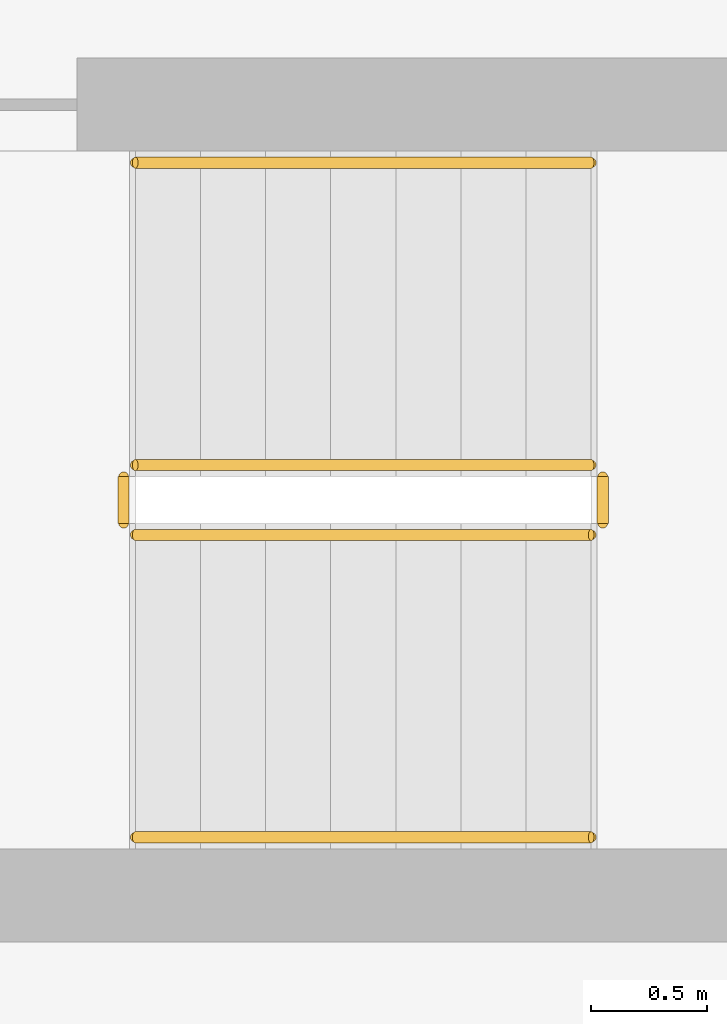
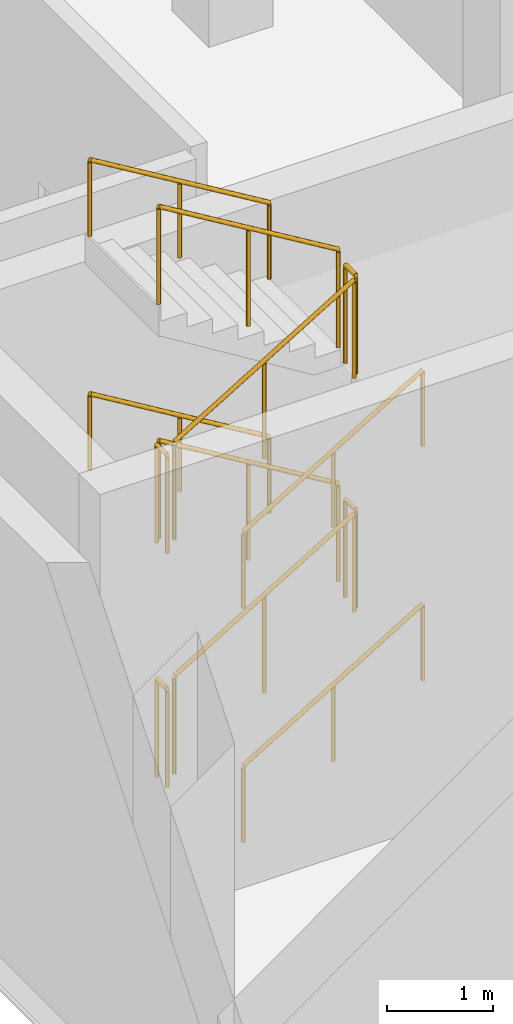
# One storey, part 19 of 22: 12 railings.
"""IFC4 building model written with IfcOpenShell, lengths in metres."""

from ifc_helpers import new_model, si_unit, direction, frame, origin, origin_2d, place, context, subcontext, project, spatial, circle, extrude, material, type_object, element, save


model = new_model("IFC4")

# Units and contexts
model_context = context("Model", 3, precision=1e-05, world=origin(), true_north=direction((0.0, 1.0)))
body_context = subcontext(model_context, "Body", "Model", "MODEL_VIEW")
ifc_project = project(units=[si_unit("LENGTHUNIT", "METRE"), si_unit("AREAUNIT", "SQUARE_METRE"), si_unit("VOLUMEUNIT", "CUBIC_METRE"), si_unit("PLANEANGLEUNIT", "RADIAN"), si_unit("MASSUNIT", "GRAM", prefix="KILO")], contexts=[model_context])

# Site, building, storey
site_placement = place(None, origin())
site = spatial("IfcSite", under=ifc_project, at=site_placement, CompositionType="ELEMENT")
building_placement = place(site_placement, origin())
building = spatial("IfcBuilding", under=site, at=building_placement, Name="Barlavira Tower and Art Museum", CompositionType="ELEMENT")
storey_placement = place(building_placement, frame((0.0, 0.0, 16.800048828125)))
storey = spatial("IfcBuildingStorey", under=building, at=storey_placement, Name="L03", CompositionType="ELEMENT", Elevation=16.800048828125)

# Railings
ifc_material = material(Name="Brushed stainless steel", Category="steel")
railing_type_1 = type_object("IfcRailingType", Name="Interior Void and Landing Guard Railing 1150", PredefinedType="GUARDRAIL", material=ifc_material)
railing_1_placement = place(storey_placement, frame((32.070068359375, -18.25, 0.168701171875)))
element("IfcRailing", 1, at=railing_1_placement, inside=storey, type_object=railing_type_1, Name="L03 ST-M1 stair guard 1", PredefinedType="GUARDRAIL", context=body_context, shape_type="SweptSolid", body=[
    extrude(circle(Radius=0.02392578125, at=origin_2d()), frame((0.0, 0.0, 1.1259765625), z_axis=(0.856493463811, 0.0, 0.516157869696), x_axis=(0.0, 1.0, 0.0)), (0.0, 0.0, 1.0), 2.288330078125),
    extrude(circle(Radius=0.02099609375, at=origin_2d()), origin(), (0.0, 0.0, 1.0), 1.101806640625),
    extrude(circle(Radius=0.02099609375, at=origin_2d()), frame((0.97998046875, 0.0, 0.590576171875)), (0.0, 0.0, 1.0), 1.101806640625),
    extrude(circle(Radius=0.02099609375, at=origin_2d()), frame((1.9599609375, 0.0, 1.18115234375)), (0.0, 0.0, 1.0), 1.101806640625),
])
railing_2_placement = place(storey_placement, frame((34.080078125, -18.199951171875, 1.349853515625)))
element("IfcRailing", 2, at=railing_2_placement, inside=storey, type_object=railing_type_1, Name="L03 ST-M1 stair guard 2", PredefinedType="GUARDRAIL", context=body_context, shape_type="SweptSolid", body=[
    extrude(circle(Radius=0.02392578125, at=origin_2d()), frame((0.0, 0.0, 1.1259765625), z_axis=(0.0, 1.0, 0.0), x_axis=(-1.0, 0.0, 0.0)), (0.0, 0.0, 1.0), 0.199951171875),
    extrude(circle(Radius=0.02099609375, at=origin_2d()), origin(), (0.0, 0.0, 1.0), 1.101806640625),
    extrude(circle(Radius=0.02099609375, at=origin_2d()), frame((0.0, 0.199951171875, 0.0)), (0.0, 0.0, 1.0), 1.101806640625),
])
railing_3_placement = place(storey_placement, frame((34.030029296875, -17.949951171875, 1.518798828125)))
element("IfcRailing", 3, at=railing_3_placement, inside=storey, type_object=railing_type_1, Name="L03 ST-M1 stair guard 3", PredefinedType="GUARDRAIL", context=body_context, shape_type="SweptSolid", body=[
    extrude(circle(Radius=0.02392578125, at=origin_2d()), frame((0.0, 0.0, 1.1259765625), z_axis=(-0.856493463811, 0.0, 0.516157869696), x_axis=(0.0, -1.0, 0.0)), (0.0, 0.0, 1.0), 2.288330078125),
    extrude(circle(Radius=0.02099609375, at=origin_2d()), origin(), (0.0, 0.0, 1.0), 1.101806640625),
    extrude(circle(Radius=0.02099609375, at=origin_2d()), frame((-0.97998046875, 0.0, 0.590576171875)), (0.0, 0.0, 1.0), 1.101806640625),
    extrude(circle(Radius=0.02099609375, at=origin_2d()), frame((-1.9599609375, 0.0, 1.18115234375)), (0.0, 0.0, 1.0), 1.101806640625),
])
railing_4_placement = place(storey_placement, frame((32.02001953125, -18.199951171875, 2.699951171875)))
element("IfcRailing", 4, at=railing_4_placement, inside=storey, type_object=railing_type_1, Name="L03 ST-M1 stair guard 4", PredefinedType="GUARDRAIL", context=body_context, shape_type="SweptSolid", body=[
    extrude(circle(Radius=0.02392578125, at=origin_2d()), frame((0.0, 0.0, 1.1259765625), z_axis=(0.0, 1.0, 0.0), x_axis=(-1.0, 0.0, 0.0)), (0.0, 0.0, 1.0), 0.199951171875),
    extrude(circle(Radius=0.02099609375, at=origin_2d()), origin(), (0.0, 0.0, 1.0), 1.101806640625),
    extrude(circle(Radius=0.02099609375, at=origin_2d()), frame((0.0, 0.199951171875, 0.0)), (0.0, 0.0, 1.0), 1.101806640625),
])
railing_5_placement = place(storey_placement, frame((32.070068359375, -18.25, 2.86865234375)))
element("IfcRailing", 5, at=railing_5_placement, inside=storey, type_object=railing_type_1, Name="L03 ST-M1 stair guard 5", PredefinedType="GUARDRAIL", context=body_context, shape_type="SweptSolid", body=[
    extrude(circle(Radius=0.02392578125, at=origin_2d()), frame((0.0, 0.0, 1.1259765625), z_axis=(0.856446297458, 0.0, 0.516236127728), x_axis=(0.0, 1.0, 0.0)), (0.0, 0.0, 1.0), 2.28857421875),
    extrude(circle(Radius=0.02099609375, at=origin_2d()), origin(), (0.0, 0.0, 1.0), 1.101806640625),
    extrude(circle(Radius=0.02099609375, at=origin_2d()), frame((0.97998046875, 0.0, 0.5908203125)), (0.0, 0.0, 1.0), 1.101806640625),
    extrude(circle(Radius=0.02099609375, at=origin_2d()), frame((1.9599609375, 0.0, 1.181396484375)), (0.0, 0.0, 1.0), 1.101806640625),
])
railing_6_placement = place(storey_placement, frame((34.080078125, -18.199951171875, 4.050048828125)))
element("IfcRailing", 6, at=railing_6_placement, inside=storey, type_object=railing_type_1, Name="L03 ST-M1 stair guard 6", PredefinedType="GUARDRAIL", context=body_context, shape_type="SweptSolid", body=[
    extrude(circle(Radius=0.02392578125, at=origin_2d()), frame((0.0, 0.0, 1.1259765625), z_axis=(0.0, 1.0, 0.0), x_axis=(-1.0, 0.0, 0.0)), (0.0, 0.0, 1.0), 0.199951171875),
    extrude(circle(Radius=0.02099609375, at=origin_2d()), origin(), (0.0, 0.0, 1.0), 1.101806640625),
    extrude(circle(Radius=0.02099609375, at=origin_2d()), frame((0.0, 0.199951171875, 0.0)), (0.0, 0.0, 1.0), 1.101806640625),
])
railing_7_placement = place(storey_placement, frame((34.030029296875, -17.949951171875, 4.21875)))
element("IfcRailing", 7, at=railing_7_placement, inside=storey, type_object=railing_type_1, Name="L03 ST-M1 stair guard 7", PredefinedType="GUARDRAIL", context=body_context, shape_type="SweptSolid", body=[
    extrude(circle(Radius=0.02392578125, at=origin_2d()), frame((0.0, 0.0, 1.1259765625), z_axis=(-0.856493463811, 0.0, 0.516157869696), x_axis=(0.0, -1.0, 0.0)), (0.0, 0.0, 1.0), 2.288330078125),
    extrude(circle(Radius=0.02099609375, at=origin_2d()), origin(), (0.0, 0.0, 1.0), 1.101806640625),
    extrude(circle(Radius=0.02099609375, at=origin_2d()), frame((-0.97998046875, 0.0, 0.590576171875)), (0.0, 0.0, 1.0), 1.101806640625),
    extrude(circle(Radius=0.02099609375, at=origin_2d()), frame((-1.9599609375, 0.0, 1.18115234375)), (0.0, 0.0, 1.0), 1.101806640625),
])
railing_8_placement = place(storey_placement, frame((32.02001953125, -18.199951171875, 0.0)))
element("IfcRailing", 8, at=railing_8_placement, inside=storey, type_object=railing_type_1, Name="L03 ST-M1 stair guard 8", PredefinedType="GUARDRAIL", context=body_context, shape_type="SweptSolid", body=[
    extrude(circle(Radius=0.02392578125, at=origin_2d()), frame((0.0, 0.0, 1.1259765625), z_axis=(0.0, 1.0, 0.0), x_axis=(-1.0, 0.0, 0.0)), (0.0, 0.0, 1.0), 0.199951171875),
    extrude(circle(Radius=0.02099609375, at=origin_2d()), origin(), (0.0, 0.0, 1.0), 1.101806640625),
    extrude(circle(Radius=0.02099609375, at=origin_2d()), frame((0.0, 0.199951171875, 0.0)), (0.0, 0.0, 1.0), 1.101806640625),
])
railing_type_2 = type_object("IfcRailingType", Name="Stair Pitch Tubular Steel Handrail 920", PredefinedType="HANDRAIL", material=ifc_material)
railing_9_placement = place(storey_placement, frame((32.070068359375, -19.550048828125, 0.168701171875)))
element("IfcRailing", 9, at=railing_9_placement, inside=storey, type_object=railing_type_2, Name="L03 ST-M1 stair handrail 1", PredefinedType="HANDRAIL", context=body_context, shape_type="SweptSolid", body=[
    extrude(circle(Radius=0.02392578125, at=origin_2d()), frame((0.0, 0.0, 0.8759765625), z_axis=(0.856493463811, 0.0, 0.516157869696), x_axis=(0.0, 1.0, 0.0)), (0.0, 0.0, 1.0), 2.288330078125),
    extrude(circle(Radius=0.02099609375, at=origin_2d()), origin(), (0.0, 0.0, 1.0), 0.851806640625),
    extrude(circle(Radius=0.02099609375, at=origin_2d()), frame((0.97998046875, 0.0, 0.590576171875)), (0.0, 0.0, 1.0), 0.851806640625),
    extrude(circle(Radius=0.02099609375, at=origin_2d()), frame((1.9599609375, 0.0, 1.18115234375)), (0.0, 0.0, 1.0), 0.851806640625),
])
railing_10_placement = place(storey_placement, frame((34.030029296875, -16.64990234375, 1.518798828125)))
element("IfcRailing", 10, at=railing_10_placement, inside=storey, type_object=railing_type_2, Name="L03 ST-M1 stair handrail 2", PredefinedType="HANDRAIL", context=body_context, shape_type="SweptSolid", body=[
    extrude(circle(Radius=0.02392578125, at=origin_2d()), frame((0.0, 0.0, 0.8759765625), z_axis=(-0.856493463811, 0.0, 0.516157869696), x_axis=(0.0, -1.0, 0.0)), (0.0, 0.0, 1.0), 2.288330078125),
    extrude(circle(Radius=0.02099609375, at=origin_2d()), origin(), (0.0, 0.0, 1.0), 0.851806640625),
    extrude(circle(Radius=0.02099609375, at=origin_2d()), frame((-0.97998046875, 0.0, 0.590576171875)), (0.0, 0.0, 1.0), 0.851806640625),
    extrude(circle(Radius=0.02099609375, at=origin_2d()), frame((-1.9599609375, 0.0, 1.18115234375)), (0.0, 0.0, 1.0), 0.851806640625),
])
railing_11_placement = place(storey_placement, frame((32.070068359375, -19.550048828125, 2.86865234375)))
element("IfcRailing", 11, at=railing_11_placement, inside=storey, type_object=railing_type_2, Name="L03 ST-M1 stair handrail 3", PredefinedType="HANDRAIL", context=body_context, shape_type="SweptSolid", body=[
    extrude(circle(Radius=0.02392578125, at=origin_2d()), frame((0.0, 0.0, 0.8759765625), z_axis=(0.856446297458, 0.0, 0.516236127728), x_axis=(0.0, 1.0, 0.0)), (0.0, 0.0, 1.0), 2.28857421875),
    extrude(circle(Radius=0.02099609375, at=origin_2d()), origin(), (0.0, 0.0, 1.0), 0.851806640625),
    extrude(circle(Radius=0.02099609375, at=origin_2d()), frame((0.97998046875, 0.0, 0.5908203125)), (0.0, 0.0, 1.0), 0.851806640625),
    extrude(circle(Radius=0.02099609375, at=origin_2d()), frame((1.9599609375, 0.0, 1.181396484375)), (0.0, 0.0, 1.0), 0.851806640625),
])
railing_12_placement = place(storey_placement, frame((34.030029296875, -16.64990234375, 4.21875)))
element("IfcRailing", 12, at=railing_12_placement, inside=storey, type_object=railing_type_2, Name="L03 ST-M1 stair handrail 4", PredefinedType="HANDRAIL", context=body_context, shape_type="SweptSolid", body=[
    extrude(circle(Radius=0.02392578125, at=origin_2d()), frame((0.0, 0.0, 0.8759765625), z_axis=(-0.856493463811, 0.0, 0.516157869696), x_axis=(0.0, -1.0, 0.0)), (0.0, 0.0, 1.0), 2.288330078125),
    extrude(circle(Radius=0.02099609375, at=origin_2d()), origin(), (0.0, 0.0, 1.0), 0.851806640625),
    extrude(circle(Radius=0.02099609375, at=origin_2d()), frame((-0.97998046875, 0.0, 0.590576171875)), (0.0, 0.0, 1.0), 0.851806640625),
    extrude(circle(Radius=0.02099609375, at=origin_2d()), frame((-1.9599609375, 0.0, 1.18115234375)), (0.0, 0.0, 1.0), 0.851806640625),
])

save(model, "model.ifc")
